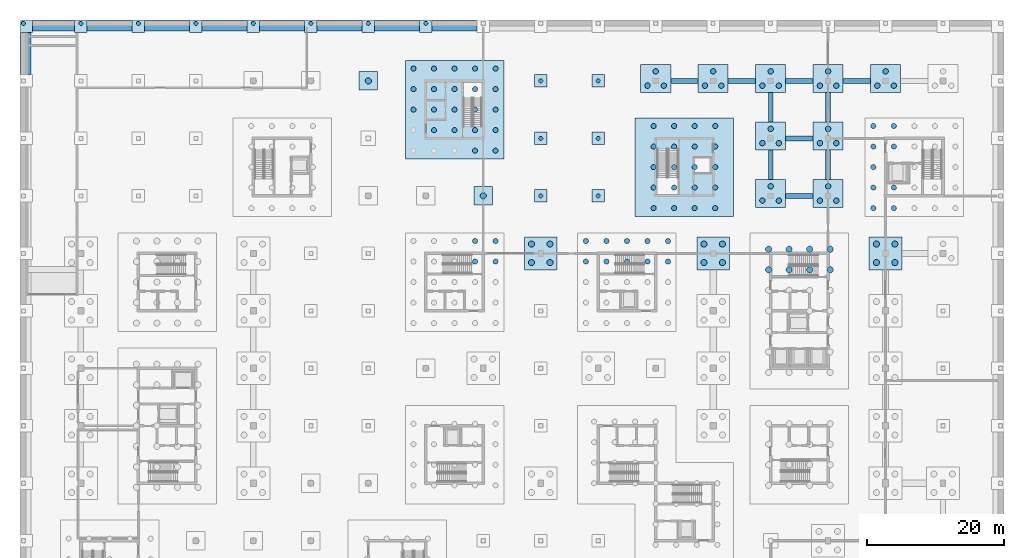
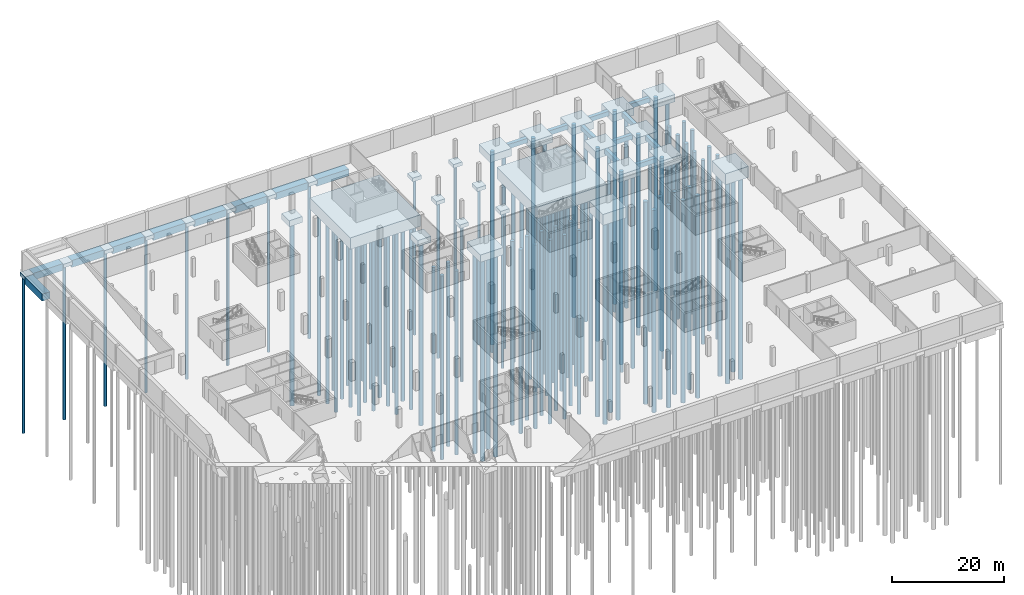
# One storey, part 4 of 23: 127 piles, 49 footings.
"""IFC4 building model written with IfcOpenShell, lengths in metres."""

from ifc_helpers import new_model, si_unit, direction, frame, origin, origin_2d, place, context, subcontext, project, spatial, polyline, rectangle, circle, outline, extrude, material, layer, layer_set, material_profile, profile_set, type_object, element, save


model = new_model("IFC4")

# Units and contexts
model_context = context("Model", 3, precision=1e-05, world=origin(), true_north=direction((0.0, 1.0)))
body_context = subcontext(model_context, "Body", "Model", "MODEL_VIEW")
ifc_project = project(units=[si_unit("LENGTHUNIT", "METRE"), si_unit("AREAUNIT", "SQUARE_METRE"), si_unit("VOLUMEUNIT", "CUBIC_METRE"), si_unit("PLANEANGLEUNIT", "RADIAN"), si_unit("MASSUNIT", "GRAM", prefix="KILO")], contexts=[model_context])

# Site, building, storey
site_placement = place(None, origin())
site = spatial("IfcSite", under=ifc_project, at=site_placement, CompositionType="ELEMENT")
building_placement = place(site_placement, origin())
building = spatial("IfcBuilding", under=site, at=building_placement, Name="Hlaing Beacon Police Headquarters", CompositionType="ELEMENT")
storey_placement = place(building_placement, frame((0.0, 0.0, -4.5)))
storey = spatial("IfcBuildingStorey", under=building, at=storey_placement, Name="B1", CompositionType="ELEMENT", Elevation=-4.5)

# Piles
ifc_material_1 = material(Name="Concrete C40/50", Category="concrete")
ifc_material_profile_1 = material_profile(ifc_material_1, circle(Radius=0.300048828125, at=origin_2d()), Name="D600")
ifc_profile_set_1 = profile_set([ifc_material_profile_1], Name="Concrete C40/50")
pile_type_1 = type_object("IfcPileType", Name="Bored pile D600 L34", PredefinedType="BORED", material=ifc_profile_set_1)
for number, where, z_axis, x_axis, name in (
    (1, (0.0, 100.800048828125, -1.39990234375), (0.0, 0.0, -1.0), (1.0, 0.0, 0.0), "STR-PILE-A13"),
    (2, (8.39990234375, 100.800048828125, -1.39990234375), (0.0, 0.0, -1.0), (1.0, 0.0, 0.0), "STR-PILE-B13"),
    (3, (16.800048828125, 100.800048828125, -1.39990234375), (0.0, 0.0, -1.0), (1.0, 0.0, 0.0), "STR-PILE-C13"),
    (4, (25.199951171875, 100.800048828125, -1.39990234375), (0.0, 0.0, -1.0), (1.0, 0.0, 0.0), "STR-PILE-D13"),
    (5, (33.60009765625, 100.800048828125, -1.39990234375), (0.0, 0.0, -1.0), (1.0, 0.0, 0.0), "STR-PILE-E13"),
    (6, (42.0, 100.800048828125, -1.39990234375), (0.0, 0.0, -1.0), (1.0, 0.0, 0.0), "STR-PILE-F13"),
    (7, (50.39990234375, 100.800048828125, -1.39990234375), (0.0, 0.0, -1.0), (1.0, 0.0, 0.0), "STR-PILE-G13"),
    (8, (58.800048828125, 100.800048828125, -1.39990234375), (0.0, 0.0, -1.0), (1.0, 0.0, 0.0), "STR-PILE-H13"),
    (9, (75.60009765625, 75.60009765625, -1.39990234375), (0.0, 0.0, -1.0), (1.0, 0.0, 0.0), "STR-PILE-K10"),
    (10, (75.60009765625, 84.0, -1.39990234375), (0.0, 0.0, -1.0), (1.0, 0.0, 0.0), "STR-PILE-K11"),
    (11, (75.60009765625, 92.39990234375, -1.39990234375), (0.0, 0.0, -1.0), (1.0, 0.0, 0.0), "STR-PILE-K12"),
    (12, (84.0, 75.60009765625, -1.39990234375), (0.0, 0.0, -1.0), (1.0, 0.0, 0.0), "STR-PILE-L10"),
    (13, (84.0, 84.0, -1.39990234375), (0.0, 0.0, -1.0), (1.0, 0.0, 0.0), "STR-PILE-L11"),
    (14, (84.0, 92.39990234375, -1.39990234375), (0.0, 0.0, -1.0), (1.0, 0.0, 0.0), "STR-PILE-L12"),
):
    element("IfcPile", number, at=place(storey_placement, frame(where, z_axis=z_axis, x_axis=x_axis)), inside=storey, type_object=pile_type_1, Name=name, PredefinedType="BORED", context=body_context, shape_type="SweptSolid", body=[
        extrude(circle(Radius=0.300048828125, at=origin_2d()), origin(), (0.0, 0.0, 1.0), 34.0),
    ])
ifc_material_2 = material(Name="Concrete C40/50", Category="concrete")
ifc_material_profile_2 = material_profile(ifc_material_2, circle(Radius=0.375, at=origin_2d()), Name="D750")
ifc_profile_set_2 = profile_set([ifc_material_profile_2], Name="Concrete C40/50")
pile_type_2 = type_object("IfcPileType", Name="Bored pile D750 L40", PredefinedType="BORED", material=ifc_profile_set_2)
for number, where, z_axis, x_axis, name in (
    (15, (66.0, 66.0, -3.10009765625), (0.0, 0.0, -1.0), (1.0, 0.0, 0.0), "STR-PILE-RFC1b-0404"),
    (16, (66.0, 69.0, -3.10009765625), (0.0, 0.0, -1.0), (1.0, 0.0, 0.0), "STR-PILE-RFC1b-0405"),
    (17, (69.0, 66.0, -3.10009765625), (0.0, 0.0, -1.0), (1.0, 0.0, 0.0), "STR-PILE-RFC1b-0504"),
    (18, (69.0, 69.0, -3.10009765625), (0.0, 0.0, -1.0), (1.0, 0.0, 0.0), "STR-PILE-RFC1b-0505"),
    (19, (82.199951171875, 66.0, -3.10009765625), (0.0, 0.0, -1.0), (1.0, 0.0, 0.0), "STR-PILE-RFC1d-0104"),
    (20, (82.199951171875, 69.0, -3.10009765625), (0.0, 0.0, -1.0), (1.0, 0.0, 0.0), "STR-PILE-RFC1d-0105"),
    (21, (85.199951171875, 66.0, -3.10009765625), (0.0, 0.0, -1.0), (1.0, 0.0, 0.0), "STR-PILE-RFC1d-0204"),
    (22, (85.199951171875, 69.0, -3.10009765625), (0.0, 0.0, -1.0), (1.0, 0.0, 0.0), "STR-PILE-RFC1d-0205"),
    (23, (88.199951171875, 66.0, -3.10009765625), (0.0, 0.0, -1.0), (1.0, 0.0, 0.0), "STR-PILE-RFC1d-0304"),
    (24, (88.199951171875, 69.0, -3.10009765625), (0.0, 0.0, -1.0), (1.0, 0.0, 0.0), "STR-PILE-RFC1d-0305"),
    (25, (91.199951171875, 66.0, -3.10009765625), (0.0, 0.0, -1.0), (1.0, 0.0, 0.0), "STR-PILE-RFC1d-0404"),
    (26, (91.199951171875, 69.0, -3.10009765625), (0.0, 0.0, -1.0), (1.0, 0.0, 0.0), "STR-PILE-RFC1d-0405"),
    (27, (94.199951171875, 66.0, -3.10009765625), (0.0, 0.0, -1.0), (1.0, 0.0, 0.0), "STR-PILE-RFC1d-0504"),
    (28, (94.199951171875, 69.0, -3.10009765625), (0.0, 0.0, -1.0), (1.0, 0.0, 0.0), "STR-PILE-RFC1d-0505"),
    (29, (57.0, 88.199951171875, -3.10009765625), (0.0, 0.0, -1.0), (1.0, 0.0, 0.0), "STR-PILE-RFC2b-0103"),
    (30, (57.0, 91.199951171875, -3.10009765625), (0.0, 0.0, -1.0), (1.0, 0.0, 0.0), "STR-PILE-RFC2b-0104"),
    (31, (57.0, 94.199951171875, -3.10009765625), (0.0, 0.0, -1.0), (1.0, 0.0, 0.0), "STR-PILE-RFC2b-0105"),
    (32, (60.0, 85.199951171875, -3.10009765625), (0.0, 0.0, -1.0), (1.0, 0.0, 0.0), "STR-PILE-RFC2b-0202"),
    (33, (60.0, 88.199951171875, -3.10009765625), (0.0, 0.0, -1.0), (1.0, 0.0, 0.0), "STR-PILE-RFC2b-0203"),
    (34, (60.0, 91.199951171875, -3.10009765625), (0.0, 0.0, -1.0), (1.0, 0.0, 0.0), "STR-PILE-RFC2b-0204"),
    (35, (60.0, 94.199951171875, -3.10009765625), (0.0, 0.0, -1.0), (1.0, 0.0, 0.0), "STR-PILE-RFC2b-0205"),
    (36, (63.0, 85.199951171875, -3.10009765625), (0.0, 0.0, -1.0), (1.0, 0.0, 0.0), "STR-PILE-RFC2b-0302"),
    (37, (63.0, 88.199951171875, -3.10009765625), (0.0, 0.0, -1.0), (1.0, 0.0, 0.0), "STR-PILE-RFC2b-0303"),
    (38, (63.0, 91.199951171875, -3.10009765625), (0.0, 0.0, -1.0), (1.0, 0.0, 0.0), "STR-PILE-RFC2b-0304"),
    (39, (63.0, 94.199951171875, -3.10009765625), (0.0, 0.0, -1.0), (1.0, 0.0, 0.0), "STR-PILE-RFC2b-0305"),
    (40, (66.0, 82.199951171875, -3.10009765625), (0.0, 0.0, -1.0), (1.0, 0.0, 0.0), "STR-PILE-RFC2b-0401"),
    (41, (66.0, 85.199951171875, -3.10009765625), (0.0, 0.0, -1.0), (1.0, 0.0, 0.0), "STR-PILE-RFC2b-0402"),
    (42, (66.0, 88.199951171875, -3.10009765625), (0.0, 0.0, -1.0), (1.0, 0.0, 0.0), "STR-PILE-RFC2b-0403"),
    (43, (66.0, 91.199951171875, -3.10009765625), (0.0, 0.0, -1.0), (1.0, 0.0, 0.0), "STR-PILE-RFC2b-0404"),
    (44, (66.0, 94.199951171875, -3.10009765625), (0.0, 0.0, -1.0), (1.0, 0.0, 0.0), "STR-PILE-RFC2b-0405"),
    (45, (69.0, 82.199951171875, -3.10009765625), (0.0, 0.0, -1.0), (1.0, 0.0, 0.0), "STR-PILE-RFC2b-0501"),
    (46, (69.0, 85.199951171875, -3.10009765625), (0.0, 0.0, -1.0), (1.0, 0.0, 0.0), "STR-PILE-RFC2b-0502"),
    (47, (69.0, 88.199951171875, -3.10009765625), (0.0, 0.0, -1.0), (1.0, 0.0, 0.0), "STR-PILE-RFC2b-0503"),
    (48, (69.0, 91.199951171875, -3.10009765625), (0.0, 0.0, -1.0), (1.0, 0.0, 0.0), "STR-PILE-RFC2b-0504"),
    (49, (69.0, 94.199951171875, -3.10009765625), (0.0, 0.0, -1.0), (1.0, 0.0, 0.0), "STR-PILE-RFC2b-0505"),
    (50, (92.10009765625, 73.800048828125, -3.10009765625), (0.0, 0.0, -1.0), (1.0, 0.0, 0.0), "STR-PILE-RFC7a-0101"),
    (51, (92.10009765625, 76.800048828125, -3.10009765625), (0.0, 0.0, -1.0), (1.0, 0.0, 0.0), "STR-PILE-RFC7a-0102"),
    (52, (92.10009765625, 79.800048828125, -3.10009765625), (0.0, 0.0, -1.0), (1.0, 0.0, 0.0), "STR-PILE-RFC7a-0103"),
    (53, (92.10009765625, 82.800048828125, -3.10009765625), (0.0, 0.0, -1.0), (1.0, 0.0, 0.0), "STR-PILE-RFC7a-0104"),
    (54, (92.10009765625, 85.800048828125, -3.10009765625), (0.0, 0.0, -1.0), (1.0, 0.0, 0.0), "STR-PILE-RFC7a-0105"),
    (55, (95.10009765625, 73.800048828125, -3.10009765625), (0.0, 0.0, -1.0), (1.0, 0.0, 0.0), "STR-PILE-RFC7a-0201"),
    (56, (95.10009765625, 76.800048828125, -3.10009765625), (0.0, 0.0, -1.0), (1.0, 0.0, 0.0), "STR-PILE-RFC7a-0202"),
    (57, (95.10009765625, 79.800048828125, -3.10009765625), (0.0, 0.0, -1.0), (1.0, 0.0, 0.0), "STR-PILE-RFC7a-0203"),
    (58, (95.10009765625, 82.800048828125, -3.10009765625), (0.0, 0.0, -1.0), (1.0, 0.0, 0.0), "STR-PILE-RFC7a-0204"),
    (59, (95.10009765625, 85.800048828125, -3.10009765625), (0.0, 0.0, -1.0), (1.0, 0.0, 0.0), "STR-PILE-RFC7a-0205"),
    (60, (98.10009765625, 73.800048828125, -3.10009765625), (0.0, 0.0, -1.0), (1.0, 0.0, 0.0), "STR-PILE-RFC7a-0301"),
    (61, (98.10009765625, 76.800048828125, -3.10009765625), (0.0, 0.0, -1.0), (1.0, 0.0, 0.0), "STR-PILE-RFC7a-0302"),
    (62, (98.10009765625, 79.800048828125, -3.10009765625), (0.0, 0.0, -1.0), (1.0, 0.0, 0.0), "STR-PILE-RFC7a-0303"),
    (63, (98.10009765625, 82.800048828125, -3.10009765625), (0.0, 0.0, -1.0), (1.0, 0.0, 0.0), "STR-PILE-RFC7a-0304"),
    (64, (98.10009765625, 85.800048828125, -3.10009765625), (0.0, 0.0, -1.0), (1.0, 0.0, 0.0), "STR-PILE-RFC7a-0305"),
    (65, (101.10009765625, 73.800048828125, -3.10009765625), (0.0, 0.0, -1.0), (1.0, 0.0, 0.0), "STR-PILE-RFC7a-0401"),
    (66, (101.10009765625, 76.800048828125, -3.10009765625), (0.0, 0.0, -1.0), (1.0, 0.0, 0.0), "STR-PILE-RFC7a-0402"),
    (67, (101.10009765625, 79.800048828125, -3.10009765625), (0.0, 0.0, -1.0), (1.0, 0.0, 0.0), "STR-PILE-RFC7a-0403"),
    (68, (101.10009765625, 82.800048828125, -3.10009765625), (0.0, 0.0, -1.0), (1.0, 0.0, 0.0), "STR-PILE-RFC7a-0404"),
    (69, (101.10009765625, 85.800048828125, -3.10009765625), (0.0, 0.0, -1.0), (1.0, 0.0, 0.0), "STR-PILE-RFC7a-0405"),
    (70, (124.199951171875, 73.800048828125, -3.10009765625), (0.0, 0.0, -1.0), (1.0, 0.0, 0.0), "STR-PILE-RFC7b-0101"),
    (71, (124.199951171875, 76.800048828125, -3.10009765625), (0.0, 0.0, -1.0), (1.0, 0.0, 0.0), "STR-PILE-RFC7b-0102"),
    (72, (124.199951171875, 79.800048828125, -3.10009765625), (0.0, 0.0, -1.0), (1.0, 0.0, 0.0), "STR-PILE-RFC7b-0103"),
    (73, (124.199951171875, 82.800048828125, -3.10009765625), (0.0, 0.0, -1.0), (1.0, 0.0, 0.0), "STR-PILE-RFC7b-0104"),
    (74, (124.199951171875, 85.800048828125, -3.10009765625), (0.0, 0.0, -1.0), (1.0, 0.0, 0.0), "STR-PILE-RFC7b-0105"),
    (75, (127.199951171875, 73.800048828125, -3.10009765625), (0.0, 0.0, -1.0), (1.0, 0.0, 0.0), "STR-PILE-RFC7b-0201"),
    (76, (127.199951171875, 76.800048828125, -3.10009765625), (0.0, 0.0, -1.0), (1.0, 0.0, 0.0), "STR-PILE-RFC7b-0202"),
    (77, (127.199951171875, 82.800048828125, -3.10009765625), (0.0, 0.0, -1.0), (1.0, 0.0, 0.0), "STR-PILE-RFC7b-0204"),
    (78, (127.199951171875, 85.800048828125, -3.10009765625), (0.0, 0.0, -1.0), (1.0, 0.0, 0.0), "STR-PILE-RFC7b-0205"),
):
    element("IfcPile", number, at=place(storey_placement, frame(where, z_axis=z_axis, x_axis=x_axis)), inside=storey, type_object=pile_type_2, Name=name, PredefinedType="BORED", context=body_context, shape_type="SweptSolid", body=[
        extrude(circle(Radius=0.375, at=origin_2d()), origin(), (0.0, 0.0, 1.0), 40.0),
    ])
ifc_material_3 = material(Name="Concrete C40/50", Category="concrete")
ifc_material_profile_3 = material_profile(ifc_material_3, circle(Radius=0.39990234375, at=origin_2d()), Name="D800")
ifc_profile_set_3 = profile_set([ifc_material_profile_3], Name="Concrete C40/50")
pile_type_3 = type_object("IfcPileType", Name="Bored pile D800 L42", PredefinedType="BORED", material=ifc_profile_set_3)
for number, where, z_axis, x_axis, name in (
    (79, (91.199951171875, 91.70703125, -2.199951171875), (0.0, 0.0, -1.0), (1.0, 0.0, 0.0), "STR-PILE-M12-1"),
    (80, (93.60009765625, 91.70703125, -2.199951171875), (0.0, 0.0, -1.0), (1.0, 0.0, 0.0), "STR-PILE-M12-2"),
    (81, (92.39990234375, 93.785888671875, -2.199951171875), (0.0, 0.0, -1.0), (1.0, 0.0, 0.0), "STR-PILE-M12-3"),
    (82, (99.60009765625, 91.70703125, -2.199951171875), (0.0, 0.0, -1.0), (1.0, 0.0, 0.0), "STR-PILE-N12-1"),
    (83, (102.0, 91.70703125, -2.199951171875), (0.0, 0.0, -1.0), (1.0, 0.0, 0.0), "STR-PILE-N12-2"),
    (84, (100.800048828125, 93.785888671875, -2.199951171875), (0.0, 0.0, -1.0), (1.0, 0.0, 0.0), "STR-PILE-N12-3"),
    (85, (108.0, 74.906982421875, -2.199951171875), (0.0, 0.0, -1.0), (1.0, 0.0, 0.0), "STR-PILE-P10-1"),
    (86, (110.39990234375, 74.906982421875, -2.199951171875), (0.0, 0.0, -1.0), (1.0, 0.0, 0.0), "STR-PILE-P10-2"),
    (87, (109.199951171875, 76.986083984375, -2.199951171875), (0.0, 0.0, -1.0), (1.0, 0.0, 0.0), "STR-PILE-P10-3"),
    (88, (108.0, 83.306884765625, -2.199951171875), (0.0, 0.0, -1.0), (1.0, 0.0, 0.0), "STR-PILE-P11-1"),
    (89, (110.39990234375, 83.306884765625, -2.199951171875), (0.0, 0.0, -1.0), (1.0, 0.0, 0.0), "STR-PILE-P11-2"),
    (90, (109.199951171875, 85.385986328125, -2.199951171875), (0.0, 0.0, -1.0), (1.0, 0.0, 0.0), "STR-PILE-P11-3"),
    (91, (108.0, 91.70703125, -2.199951171875), (0.0, 0.0, -1.0), (1.0, 0.0, 0.0), "STR-PILE-P12-1"),
    (92, (110.39990234375, 91.70703125, -2.199951171875), (0.0, 0.0, -1.0), (1.0, 0.0, 0.0), "STR-PILE-P12-2"),
    (93, (109.199951171875, 93.785888671875, -2.199951171875), (0.0, 0.0, -1.0), (1.0, 0.0, 0.0), "STR-PILE-P12-3"),
    (94, (116.39990234375, 74.906982421875, -2.199951171875), (0.0, 0.0, -1.0), (1.0, 0.0, 0.0), "STR-PILE-Q10-1"),
    (95, (118.800048828125, 74.906982421875, -2.199951171875), (0.0, 0.0, -1.0), (1.0, 0.0, 0.0), "STR-PILE-Q10-2"),
    (96, (117.60009765625, 76.986083984375, -2.199951171875), (0.0, 0.0, -1.0), (1.0, 0.0, 0.0), "STR-PILE-Q10-3"),
    (97, (116.39990234375, 83.306884765625, -2.199951171875), (0.0, 0.0, -1.0), (1.0, 0.0, 0.0), "STR-PILE-Q11-1"),
    (98, (118.800048828125, 83.306884765625, -2.199951171875), (0.0, 0.0, -1.0), (1.0, 0.0, 0.0), "STR-PILE-Q11-2"),
    (99, (117.60009765625, 85.385986328125, -2.199951171875), (0.0, 0.0, -1.0), (1.0, 0.0, 0.0), "STR-PILE-Q11-3"),
    (100, (116.39990234375, 91.70703125, -2.199951171875), (0.0, 0.0, -1.0), (1.0, 0.0, 0.0), "STR-PILE-Q12-1"),
    (101, (118.800048828125, 91.70703125, -2.199951171875), (0.0, 0.0, -1.0), (1.0, 0.0, 0.0), "STR-PILE-Q12-2"),
    (102, (117.60009765625, 93.785888671875, -2.199951171875), (0.0, 0.0, -1.0), (1.0, 0.0, 0.0), "STR-PILE-Q12-3"),
    (103, (124.800048828125, 91.70703125, -2.199951171875), (0.0, 0.0, -1.0), (1.0, 0.0, 0.0), "STR-PILE-R12-1"),
    (104, (127.199951171875, 91.70703125, -2.199951171875), (0.0, 0.0, -1.0), (1.0, 0.0, 0.0), "STR-PILE-R12-2"),
    (105, (126.0, 93.785888671875, -2.199951171875), (0.0, 0.0, -1.0), (1.0, 0.0, 0.0), "STR-PILE-R12-3"),
):
    element("IfcPile", number, at=place(storey_placement, frame(where, z_axis=z_axis, x_axis=x_axis)), inside=storey, type_object=pile_type_3, Name=name, PredefinedType="BORED", context=body_context, shape_type="SweptSolid", body=[
        extrude(circle(Radius=0.39990234375, at=origin_2d()), origin(), (0.0, 0.0, 1.0), 42.0),
    ])
ifc_material_4 = material(Name="Concrete C40/50", Category="concrete")
ifc_material_profile_4 = material_profile(ifc_material_4, circle(Radius=0.449951171875, at=origin_2d()), Name="D900")
ifc_profile_set_4 = profile_set([ifc_material_profile_4], Name="Concrete C40/50")
pile_type_4 = type_object("IfcPileType", Name="Bored pile D900 L40", PredefinedType="BORED", material=ifc_profile_set_4)
for number, where, z_axis, x_axis, name in (
    (106, (50.39990234375, 92.39990234375, -1.89990234375), (0.0, 0.0, -1.0), (1.0, 0.0, 0.0), "STR-PILE-G12"),
    (107, (67.199951171875, 75.60009765625, -1.89990234375), (0.0, 0.0, -1.0), (1.0, 0.0, 0.0), "STR-PILE-J10"),
):
    element("IfcPile", number, at=place(storey_placement, frame(where, z_axis=z_axis, x_axis=x_axis)), inside=storey, type_object=pile_type_4, Name=name, PredefinedType="BORED", context=body_context, shape_type="SweptSolid", body=[
        extrude(circle(Radius=0.449951171875, at=origin_2d()), origin(), (0.0, 0.0, 1.0), 40.0),
    ])
ifc_material_5 = material(Name="Concrete C40/50", Category="concrete")
ifc_material_profile_5 = material_profile(ifc_material_5, circle(Radius=0.449951171875, at=origin_2d()), Name="D900")
ifc_profile_set_5 = profile_set([ifc_material_profile_5], Name="Concrete C40/50")
pile_type_5 = type_object("IfcPileType", Name="Bored pile D900 L44", PredefinedType="BORED", material=ifc_profile_set_5)
for number, where, z_axis, x_axis, name in (
    (108, (74.25, 65.85009765625, -2.199951171875), (0.0, 0.0, -1.0), (1.0, 0.0, 0.0), "STR-PILE-K9-1"),
    (109, (76.949951171875, 65.85009765625, -2.199951171875), (0.0, 0.0, -1.0), (1.0, 0.0, 0.0), "STR-PILE-K9-2"),
    (110, (76.949951171875, 68.550048828125, -2.199951171875), (0.0, 0.0, -1.0), (1.0, 0.0, 0.0), "STR-PILE-K9-3"),
    (111, (74.25, 68.550048828125, -2.199951171875), (0.0, 0.0, -1.0), (1.0, 0.0, 0.0), "STR-PILE-K9-4"),
    (112, (99.449951171875, 65.85009765625, -3.0), (0.0, 0.0, -1.0), (1.0, 0.0, 0.0), "STR-PILE-N9-1"),
    (113, (102.14990234375, 65.85009765625, -3.0), (0.0, 0.0, -1.0), (1.0, 0.0, 0.0), "STR-PILE-N9-2"),
    (114, (102.14990234375, 68.550048828125, -3.0), (0.0, 0.0, -1.0), (1.0, 0.0, 0.0), "STR-PILE-N9-3"),
    (115, (99.449951171875, 68.550048828125, -3.0), (0.0, 0.0, -1.0), (1.0, 0.0, 0.0), "STR-PILE-N9-4"),
    (116, (124.64990234375, 65.85009765625, -3.0), (0.0, 0.0, -1.0), (1.0, 0.0, 0.0), "STR-PILE-R9-1"),
    (117, (127.35009765625, 65.85009765625, -3.0), (0.0, 0.0, -1.0), (1.0, 0.0, 0.0), "STR-PILE-R9-2"),
    (118, (127.35009765625, 68.550048828125, -3.0), (0.0, 0.0, -1.0), (1.0, 0.0, 0.0), "STR-PILE-R9-3"),
    (119, (124.64990234375, 68.550048828125, -3.0), (0.0, 0.0, -1.0), (1.0, 0.0, 0.0), "STR-PILE-R9-4"),
    (120, (108.89990234375, 64.800048828125, -3.10009765625), (0.0, 0.0, -1.0), (1.0, 0.0, 0.0), "STR-PILE-RFC5L-0106"),
    (121, (108.89990234375, 67.800048828125, -3.10009765625), (0.0, 0.0, -1.0), (1.0, 0.0, 0.0), "STR-PILE-RFC5L-0107"),
    (122, (111.89990234375, 64.800048828125, -3.10009765625), (0.0, 0.0, -1.0), (1.0, 0.0, 0.0), "STR-PILE-RFC5L-0206"),
    (123, (111.89990234375, 67.800048828125, -3.10009765625), (0.0, 0.0, -1.0), (1.0, 0.0, 0.0), "STR-PILE-RFC5L-0207"),
    (124, (114.89990234375, 64.800048828125, -3.10009765625), (0.0, 0.0, -1.0), (1.0, 0.0, 0.0), "STR-PILE-RFC5L-0306"),
    (125, (114.89990234375, 67.800048828125, -3.10009765625), (0.0, 0.0, -1.0), (1.0, 0.0, 0.0), "STR-PILE-RFC5L-0307"),
    (126, (117.89990234375, 64.800048828125, -3.10009765625), (0.0, 0.0, -1.0), (1.0, 0.0, 0.0), "STR-PILE-RFC5L-0406"),
    (127, (117.89990234375, 67.800048828125, -3.10009765625), (0.0, 0.0, -1.0), (1.0, 0.0, 0.0), "STR-PILE-RFC5L-0407"),
):
    element("IfcPile", number, at=place(storey_placement, frame(where, z_axis=z_axis, x_axis=x_axis)), inside=storey, type_object=pile_type_5, Name=name, PredefinedType="BORED", context=body_context, shape_type="SweptSolid", body=[
        extrude(circle(Radius=0.449951171875, at=origin_2d()), origin(), (0.0, 0.0, 1.0), 44.0),
    ])

# Footings
ifc_material_6 = material(Name="Concrete C40/50", Category="concrete")
ifc_layer_1 = layer(ifc_material_6, 0.800048828125)
ifc_layer_set_1 = layer_set([ifc_layer_1], Name="Concrete C40/50")
footing_type_1 = type_object("IfcFootingType", Name="Pad footing 1800 x 1800 x 800", PredefinedType="PAD_FOOTING", material=ifc_layer_set_1)
for number, where, z_axis, x_axis, name in (
    (128, (0.449951171875, 100.35009765625, -1.39990234375), (0.0, 0.0, 1.0), (1.0, 0.0, 0.0), "STR-PAD-A13"),
    (129, (8.39990234375, 100.35009765625, -1.39990234375), (0.0, 0.0, 1.0), (1.0, 0.0, 0.0), "STR-PAD-B13"),
    (130, (16.800048828125, 100.35009765625, -1.39990234375), (0.0, 0.0, 1.0), (1.0, 0.0, 0.0), "STR-PAD-C13"),
    (131, (25.199951171875, 100.35009765625, -1.39990234375), (0.0, 0.0, 1.0), (1.0, 0.0, 0.0), "STR-PAD-D13"),
    (132, (33.60009765625, 100.35009765625, -1.39990234375), (0.0, 0.0, 1.0), (1.0, 0.0, 0.0), "STR-PAD-E13"),
    (133, (42.0, 100.35009765625, -1.39990234375), (0.0, 0.0, 1.0), (1.0, 0.0, 0.0), "STR-PAD-F13"),
    (134, (50.39990234375, 100.35009765625, -1.39990234375), (0.0, 0.0, 1.0), (1.0, 0.0, 0.0), "STR-PAD-G13"),
    (135, (58.800048828125, 100.35009765625, -1.39990234375), (0.0, 0.0, 1.0), (1.0, 0.0, 0.0), "STR-PAD-H13"),
    (136, (75.60009765625, 75.60009765625, -1.39990234375), (0.0, 0.0, 1.0), (1.0, 0.0, 0.0), "STR-PAD-K10"),
    (137, (75.60009765625, 84.0, -1.39990234375), (0.0, 0.0, 1.0), (1.0, 0.0, 0.0), "STR-PAD-K11"),
    (138, (75.60009765625, 92.39990234375, -1.39990234375), (0.0, 0.0, 1.0), (1.0, 0.0, 0.0), "STR-PAD-K12"),
    (139, (84.0, 75.60009765625, -1.39990234375), (0.0, 0.0, 1.0), (1.0, 0.0, 0.0), "STR-PAD-L10"),
    (140, (84.0, 84.0, -1.39990234375), (0.0, 0.0, 1.0), (1.0, 0.0, 0.0), "STR-PAD-L11"),
    (141, (84.0, 92.39990234375, -1.39990234375), (0.0, 0.0, 1.0), (1.0, 0.0, 0.0), "STR-PAD-L12"),
):
    element("IfcFooting", number, at=place(storey_placement, frame(where, z_axis=z_axis, x_axis=x_axis)), inside=storey, type_object=footing_type_1, Name=name, PredefinedType="PAD_FOOTING", context=body_context, shape_type="SweptSolid", body=[
        extrude(rectangle(XDim=1.800048828125, YDim=1.800048828125, at=origin_2d()), origin(), (0.0, 0.0, 1.0), 0.800048828125),
    ])
ifc_material_7 = material(Name="Concrete C40/50", Category="concrete")
ifc_layer_2 = layer(ifc_material_7, 1.300048828125)
ifc_layer_set_2 = layer_set([ifc_layer_2], Name="Concrete C40/50")
footing_type_2 = type_object("IfcFootingType", Name="Pad footing 2700 x 2700 x 1300", PredefinedType="PAD_FOOTING", material=ifc_layer_set_2)
for number, where, z_axis, x_axis, name in (
    (142, (50.39990234375, 92.39990234375, -1.89990234375), (0.0, 0.0, 1.0), (1.0, 0.0, 0.0), "STR-PAD-G12"),
    (143, (67.199951171875, 75.60009765625, -1.89990234375), (0.0, 0.0, 1.0), (1.0, 0.0, 0.0), "STR-PAD-J10"),
):
    element("IfcFooting", number, at=place(storey_placement, frame(where, z_axis=z_axis, x_axis=x_axis)), inside=storey, type_object=footing_type_2, Name=name, PredefinedType="PAD_FOOTING", context=body_context, shape_type="SweptSolid", body=[
        extrude(rectangle(XDim=2.699951171875, YDim=2.699951171875, at=origin_2d()), origin(), (0.0, 0.0, 1.0), 1.300048828125),
    ])
ifc_material_8 = material(Name="Concrete C40/50", Category="concrete")
ifc_layer_3 = layer(ifc_material_8, 1.60009765625)
ifc_layer_set_3 = layer_set([ifc_layer_3], Name="Concrete C40/50")
footing_type_3 = type_object("IfcFootingType", Name="Pile cap 4400 x 4078 x 1600", PredefinedType="PILE_CAP", material=ifc_layer_set_3)
for number, where, z_axis, x_axis, name in (
    (144, (92.39990234375, 92.74609375, -2.199951171875), (0.0, 0.0, 1.0), (1.0, 0.0, 0.0), "STR-CAP-M12"),
    (145, (100.800048828125, 92.74609375, -2.199951171875), (0.0, 0.0, 1.0), (1.0, 0.0, 0.0), "STR-CAP-N12"),
    (146, (109.199951171875, 75.947021484375, -2.199951171875), (0.0, 0.0, 1.0), (1.0, 0.0, 0.0), "STR-CAP-P10"),
    (147, (109.199951171875, 84.345947265625, -2.199951171875), (0.0, 0.0, 1.0), (1.0, 0.0, 0.0), "STR-CAP-P11"),
    (148, (109.199951171875, 92.74609375, -2.199951171875), (0.0, 0.0, 1.0), (1.0, 0.0, 0.0), "STR-CAP-P12"),
    (149, (117.60009765625, 75.947021484375, -2.199951171875), (0.0, 0.0, 1.0), (1.0, 0.0, 0.0), "STR-CAP-Q10"),
    (150, (117.60009765625, 84.345947265625, -2.199951171875), (0.0, 0.0, 1.0), (1.0, 0.0, 0.0), "STR-CAP-Q11"),
    (151, (117.60009765625, 92.74609375, -2.199951171875), (0.0, 0.0, 1.0), (1.0, 0.0, 0.0), "STR-CAP-Q12"),
    (152, (126.0, 92.74609375, -2.199951171875), (0.0, 0.0, 1.0), (1.0, 0.0, 0.0), "STR-CAP-R12"),
):
    element("IfcFooting", number, at=place(storey_placement, frame(where, z_axis=z_axis, x_axis=x_axis)), inside=storey, type_object=footing_type_3, Name=name, PredefinedType="PILE_CAP", context=body_context, shape_type="SweptSolid", body=[
        extrude(rectangle(XDim=4.39990234375, YDim=4.077880859375, at=origin_2d()), origin(), (0.0, 0.0, 1.0), 1.60009765625),
    ])
ifc_material_9 = material(Name="Concrete C40/50", Category="concrete")
ifc_layer_4 = layer(ifc_material_9, 1.60009765625)
ifc_layer_set_4 = layer_set([ifc_layer_4], Name="Concrete C40/50")
footing_type_4 = type_object("IfcFootingType", Name="Pile cap 4800 x 4800 x 1600", PredefinedType="PILE_CAP", material=ifc_layer_set_4)
footing_1_placement = place(storey_placement, frame((75.60009765625, 67.199951171875, -2.199951171875), z_axis=(0.0, 0.0, 1.0), x_axis=(1.0, 0.0, 0.0)))
element("IfcFooting", 153, at=footing_1_placement, inside=storey, type_object=footing_type_4, Name="STR-CAP-K9", PredefinedType="PILE_CAP", context=body_context, shape_type="SweptSolid", body=[
    extrude(rectangle(XDim=4.800048828125, YDim=4.800048828125, at=origin_2d()), origin(), (0.0, 0.0, 1.0), 1.60009765625),
])
ifc_material_10 = material(Name="Concrete C40/50", Category="concrete")
ifc_layer_5 = layer(ifc_material_10, 2.39990234375)
ifc_layer_set_5 = layer_set([ifc_layer_5], Name="Concrete C40/50")
footing_type_5 = type_object("IfcFootingType", Name="Pile cap 4800 x 4800 x 2400", PredefinedType="PILE_CAP", material=ifc_layer_set_5)
for number, where, z_axis, x_axis, name in (
    (154, (100.800048828125, 67.199951171875, -3.0), (0.0, 0.0, 1.0), (1.0, 0.0, 0.0), "STR-CAP-N9"),
    (155, (126.0, 67.199951171875, -3.0), (0.0, 0.0, 1.0), (1.0, 0.0, 0.0), "STR-CAP-R9"),
):
    element("IfcFooting", number, at=place(storey_placement, frame(where, z_axis=z_axis, x_axis=x_axis)), inside=storey, type_object=footing_type_5, Name=name, PredefinedType="PILE_CAP", context=body_context, shape_type="SweptSolid", body=[
        extrude(rectangle(XDim=4.800048828125, YDim=4.800048828125, at=origin_2d()), origin(), (0.0, 0.0, 1.0), 2.39990234375),
    ])
ifc_material_11 = material(Name="Concrete C40/50", Category="concrete")
ifc_layer_6 = layer(ifc_material_11, 2.5)
ifc_layer_set_6 = layer_set([ifc_layer_6], Name="Concrete C40/50")
footing_type_6 = type_object("IfcFootingType", Name="Piled raft 2500 14400 x 14400", PredefinedType="PILE_CAP", material=ifc_layer_set_6)
footing_2_placement = place(storey_placement, frame((0.0, 0.0, -3.10009765625)))
element("IfcFooting", 156, at=footing_2_placement, inside=storey, type_object=footing_type_6, Name="STR-RAFT-C2b", PredefinedType="PILE_CAP", context=body_context, shape_type="SweptSolid", body=[
    extrude(outline(polyline([(55.800048828125, 81.0), (55.800048828125, 95.39990234375), (70.199951171875, 95.39990234375), (70.199951171875, 81.0), (55.800048828125, 81.0)])), origin(), (0.0, 0.0, 1.0), 2.5),
])
footing_3_placement = place(storey_placement, frame((0.0, 0.0, -3.10009765625)))
element("IfcFooting", 157, at=footing_3_placement, inside=storey, type_object=footing_type_6, Name="STR-RAFT-C7a", PredefinedType="PILE_CAP", context=body_context, shape_type="SweptSolid", body=[
    extrude(outline(polyline([(89.39990234375, 72.60009765625), (89.39990234375, 87.0), (103.800048828125, 87.0), (103.800048828125, 72.60009765625), (89.39990234375, 72.60009765625)])), origin(), (0.0, 0.0, 1.0), 2.5),
])
ifc_material_12 = material(Name="Concrete C40/50", Category="concrete")
ifc_layer_7 = layer(ifc_material_12, 1.5)
ifc_layer_set_7 = layer_set([ifc_layer_7], Name="Concrete C40/50")
footing_type_7 = type_object("IfcFootingType", Name="Strip footing 1600 x 1500", PredefinedType="STRIP_FOOTING", material=ifc_layer_set_7)
footing_4_placement = place(storey_placement, frame((0.300048828125, 96.375, -2.10009765625), z_axis=(0.0, 0.0, 1.0), x_axis=(1.0, 0.0, 0.0)))
element("IfcFooting", 158, at=footing_4_placement, inside=storey, type_object=footing_type_7, Name="STR-STRIP-A12-A13", PredefinedType="STRIP_FOOTING", context=body_context, shape_type="SweptSolid", body=[
    extrude(rectangle(XDim=1.60009765625, YDim=6.14990234375, at=origin_2d()), origin(), (0.0, 0.0, 1.0), 1.5),
])
footing_5_placement = place(storey_placement, frame((4.425048828125, 100.5, -2.10009765625), z_axis=(0.0, 0.0, 1.0), x_axis=(1.0, 0.0, 0.0)))
element("IfcFooting", 159, at=footing_5_placement, inside=storey, type_object=footing_type_7, Name="STR-STRIP-A13-B13", PredefinedType="STRIP_FOOTING", context=body_context, shape_type="SweptSolid", body=[
    extrude(rectangle(XDim=6.14990234375, YDim=1.60009765625, at=origin_2d()), origin(), (0.0, 0.0, 1.0), 1.5),
])
for number, where, z_axis, x_axis, name in (
    (160, (12.60009765625, 100.5, -2.10009765625), (0.0, 0.0, 1.0), (1.0, 0.0, 0.0), "STR-STRIP-B13-C13"),
    (161, (21.0, 100.5, -2.10009765625), (0.0, 0.0, 1.0), (1.0, 0.0, 0.0), "STR-STRIP-C13-D13"),
    (162, (29.39990234375, 100.5, -2.10009765625), (0.0, 0.0, 1.0), (1.0, 0.0, 0.0), "STR-STRIP-D13-E13"),
    (163, (37.800048828125, 100.5, -2.10009765625), (0.0, 0.0, 1.0), (1.0, 0.0, 0.0), "STR-STRIP-E13-F13"),
    (164, (46.199951171875, 100.5, -2.10009765625), (0.0, 0.0, 1.0), (1.0, 0.0, 0.0), "STR-STRIP-F13-G13"),
    (165, (54.60009765625, 100.5, -2.10009765625), (0.0, 0.0, 1.0), (1.0, 0.0, 0.0), "STR-STRIP-G13-H13"),
    (166, (63.0, 100.5, -2.10009765625), (0.0, 0.0, 1.0), (1.0, 0.0, 0.0), "STR-STRIP-H13-J13"),
):
    element("IfcFooting", number, at=place(storey_placement, frame(where, z_axis=z_axis, x_axis=x_axis)), inside=storey, type_object=footing_type_7, Name=name, PredefinedType="STRIP_FOOTING", context=body_context, shape_type="SweptSolid", body=[
        extrude(rectangle(XDim=6.60009765625, YDim=1.60009765625, at=origin_2d()), origin(), (0.0, 0.0, 1.0), 1.5),
    ])
ifc_material_13 = material(Name="Concrete C40/50", Category="concrete")
ifc_layer_8 = layer(ifc_material_13, 1.0)
ifc_layer_set_8 = layer_set([ifc_layer_8], Name="Concrete C40/50")
footing_type_8 = type_object("IfcFootingType", Name="Tie beam 700 x 1000", PredefinedType="FOOTING_BEAM", material=ifc_layer_set_8)
for number, where, z_axis, x_axis, name in (
    (167, (96.60009765625, 92.39990234375, -1.60009765625), (0.0, 0.0, 1.0), (1.0, 0.0, 0.0), "STR-TIE-M12-N12"),
    (168, (105.0, 92.39990234375, -1.60009765625), (0.0, 0.0, 1.0), (1.0, 0.0, 0.0), "STR-TIE-N12-P12"),
    (169, (113.39990234375, 75.60009765625, -1.60009765625), (0.0, 0.0, 1.0), (1.0, 0.0, 0.0), "STR-TIE-P10-Q10"),
):
    element("IfcFooting", number, at=place(storey_placement, frame(where, z_axis=z_axis, x_axis=x_axis)), inside=storey, type_object=footing_type_8, Name=name, PredefinedType="FOOTING_BEAM", context=body_context, shape_type="SweptSolid", body=[
        extrude(rectangle(XDim=4.0, YDim=0.699951171875, at=origin_2d()), origin(), (0.0, 0.0, 1.0), 1.0),
    ])
footing_6_placement = place(storey_placement, frame((109.199951171875, 80.146484375, -1.60009765625), z_axis=(0.0, 0.0, 1.0), x_axis=(1.0, 0.0, 0.0)))
element("IfcFooting", 170, at=footing_6_placement, inside=storey, type_object=footing_type_8, Name="STR-TIE-P10-P11", PredefinedType="FOOTING_BEAM", context=body_context, shape_type="SweptSolid", body=[
    extrude(rectangle(XDim=0.699951171875, YDim=4.321044921875, at=origin_2d()), origin(), (0.0, 0.0, 1.0), 1.0),
])
footing_7_placement = place(storey_placement, frame((113.39990234375, 84.0, -1.60009765625), z_axis=(0.0, 0.0, 1.0), x_axis=(1.0, 0.0, 0.0)))
element("IfcFooting", 171, at=footing_7_placement, inside=storey, type_object=footing_type_8, Name="STR-TIE-P11-Q11", PredefinedType="FOOTING_BEAM", context=body_context, shape_type="SweptSolid", body=[
    extrude(rectangle(XDim=4.0, YDim=0.699951171875, at=origin_2d()), origin(), (0.0, 0.0, 1.0), 1.0),
])
footing_8_placement = place(storey_placement, frame((109.199951171875, 88.54638671875, -1.60009765625), z_axis=(0.0, 0.0, 1.0), x_axis=(1.0, 0.0, 0.0)))
element("IfcFooting", 172, at=footing_8_placement, inside=storey, type_object=footing_type_8, Name="STR-TIE-P11-P12", PredefinedType="FOOTING_BEAM", context=body_context, shape_type="SweptSolid", body=[
    extrude(rectangle(XDim=0.699951171875, YDim=4.321044921875, at=origin_2d()), origin(), (0.0, 0.0, 1.0), 1.0),
])
footing_9_placement = place(storey_placement, frame((113.39990234375, 92.39990234375, -1.60009765625), z_axis=(0.0, 0.0, 1.0), x_axis=(1.0, 0.0, 0.0)))
element("IfcFooting", 173, at=footing_9_placement, inside=storey, type_object=footing_type_8, Name="STR-TIE-P12-Q12", PredefinedType="FOOTING_BEAM", context=body_context, shape_type="SweptSolid", body=[
    extrude(rectangle(XDim=4.0, YDim=0.699951171875, at=origin_2d()), origin(), (0.0, 0.0, 1.0), 1.0),
])
for number, where, z_axis, x_axis, name in (
    (174, (117.60009765625, 80.146484375, -1.60009765625), (0.0, 0.0, 1.0), (1.0, 0.0, 0.0), "STR-TIE-Q10-Q11"),
    (175, (117.60009765625, 88.54638671875, -1.60009765625), (0.0, 0.0, 1.0), (1.0, 0.0, 0.0), "STR-TIE-Q11-Q12"),
):
    element("IfcFooting", number, at=place(storey_placement, frame(where, z_axis=z_axis, x_axis=x_axis)), inside=storey, type_object=footing_type_8, Name=name, PredefinedType="FOOTING_BEAM", context=body_context, shape_type="SweptSolid", body=[
        extrude(rectangle(XDim=0.699951171875, YDim=4.321044921875, at=origin_2d()), origin(), (0.0, 0.0, 1.0), 1.0),
    ])
footing_10_placement = place(storey_placement, frame((121.800048828125, 92.39990234375, -1.60009765625), z_axis=(0.0, 0.0, 1.0), x_axis=(1.0, 0.0, 0.0)))
element("IfcFooting", 176, at=footing_10_placement, inside=storey, type_object=footing_type_8, Name="STR-TIE-Q12-R12", PredefinedType="FOOTING_BEAM", context=body_context, shape_type="SweptSolid", body=[
    extrude(rectangle(XDim=4.0, YDim=0.699951171875, at=origin_2d()), origin(), (0.0, 0.0, 1.0), 1.0),
])

save(model, "model.ifc")
